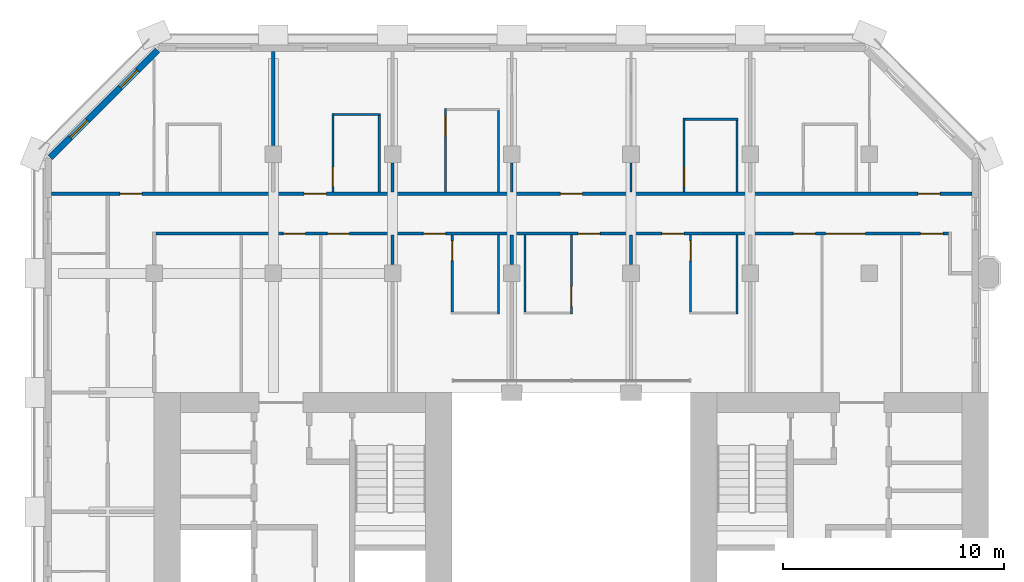
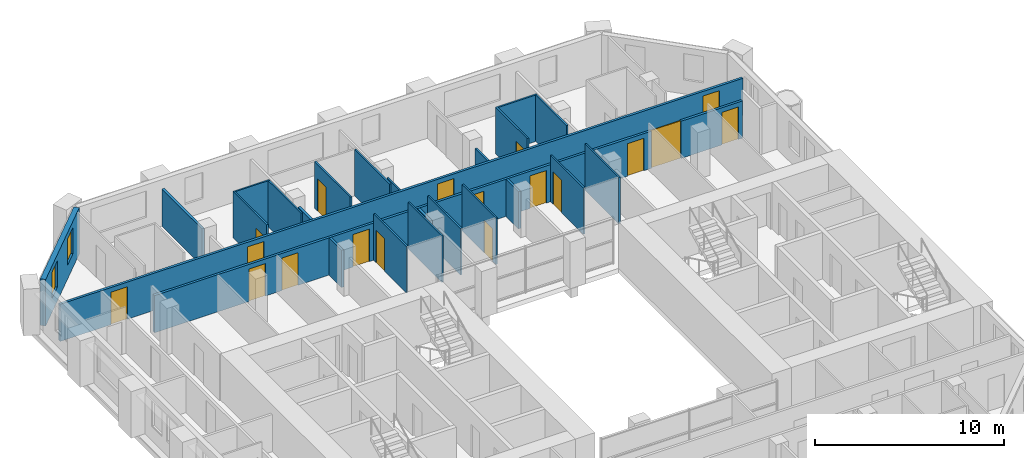
# One storey, part 10 of 14: 24 walls, 18 doors, 2 windows, 20 openings.
"""IFC4 building model written with IfcOpenShell, lengths in metres."""

from ifc_helpers import new_model, si_unit, direction, frame, frame_2d, origin, place, context, subcontext, project, spatial, rectangle, extrude, material, layer, layer_set, type_object, element, fill, save


model = new_model("IFC4")

# Units and contexts
model_context = context("Model", 3, precision=1e-05, world=origin(), true_north=direction((0.0, 1.0)))
body_context = subcontext(model_context, "Body", "Model", "MODEL_VIEW")
ifc_project = project(units=[si_unit("LENGTHUNIT", "METRE"), si_unit("AREAUNIT", "SQUARE_METRE"), si_unit("VOLUMEUNIT", "CUBIC_METRE"), si_unit("PLANEANGLEUNIT", "RADIAN"), si_unit("MASSUNIT", "GRAM", prefix="KILO")], contexts=[model_context])

# Site, building, storey
site_placement = place(None, origin())
site = spatial("IfcSite", under=ifc_project, at=site_placement, CompositionType="ELEMENT")
building_placement = place(site_placement, origin())
building = spatial("IfcBuilding", under=site, at=building_placement, Name="Tabaq Tower and Sports Hall", CompositionType="ELEMENT")
storey_placement = place(building_placement, frame((0.0, 0.0, 217.0)))
storey = spatial("IfcBuildingStorey", under=building, at=storey_placement, Name="L54", CompositionType="ELEMENT", Elevation=217.0)

# Wall
ifc_material_1 = material(Name="Gypsum board on steel studs", Category="steel")
ifc_layer_1 = layer(ifc_material_1, 0.10009765625)
ifc_layer_set_1 = layer_set([ifc_layer_1], Name="Partition 100 Gypsum board")
wall_type_1 = type_object("IfcWallType", Name="Partition 100 Gypsum board", PredefinedType="PARTITIONING", material=ifc_layer_set_1)
wall_1_placement = place(storey_placement, frame((31.800048828125, 39.52490234375, 0.0), z_axis=(0.0, 0.0, 1.0), x_axis=(0.0, -1.0, 0.0)))
element("IfcWall", 1, at=wall_1_placement, inside=storey, type_object=wall_type_1, Name="Partition wall L54", PredefinedType="PARTITIONING", context=body_context, shape_type="SweptSolid", body=[
    extrude(rectangle(XDim=3.574951171875, YDim=0.10009765625, at=frame_2d((1.78759765625, 0.0))), origin(), (0.0, 0.0, 1.0), 3.0),
])

# Wall, opening, door
wall_2_placement = place(storey_placement, frame((29.699951171875, 36.050048828125, 0.0), z_axis=(0.0, 0.0, 1.0), x_axis=(0.0, 1.0, 0.0)))
wall_2 = element("IfcWall", 2, at=wall_2_placement, inside=storey, type_object=wall_type_1, Name="Partition wall L54", PredefinedType="PARTITIONING", context=body_context, shape_type="SweptSolid", body=[
    extrude(rectangle(XDim=3.474853515625, YDim=0.10009765625, at=frame_2d((1.7373046875, 0.0))), origin(), (0.0, 0.0, 1.0), 3.0),
])
opening_1_placement = place(wall_2_placement, frame((2.324951171875, 0.0, 0.0)))
opening_1 = element("IfcOpeningElement", 3, at=opening_1_placement, cuts=wall_2, Name="Opening L54-001", PredefinedType="OPENING", context=body_context, shape_type="SweptSolid", body=[
    extrude(rectangle(XDim=0.89990234375, YDim=2.10009765625, at=frame_2d((0.449951171875, 1.050048828125))), frame((0.0, 0.050048828125, 0.0), z_axis=(0.0, -1.0, 0.0), x_axis=(1.0, 0.0, 0.0)), (0.0, 0.0, 1.0), 0.10009765625),
])
ifc_material_2 = material(Name="Timber leaf in steel frame", Category="steel")
door_type_1 = type_object("IfcDoorType", Name="Internal door 900 right hand", OperationType="SINGLE_SWING_RIGHT", PredefinedType="DOOR", material=ifc_material_2)
door_1_placement = place(opening_1_placement, origin())
door_1 = element("IfcDoor", 4, at=door_1_placement, inside=storey, type_object=door_type_1, Name="Internal door L54-001", OperationType="SINGLE_SWING_RIGHT", OverallHeight=2.10009765625, OverallWidth=0.89990234375, PredefinedType="DOOR", context=body_context, shape_type="SweptSolid", body=[
    extrude(rectangle(XDim=0.89990234375, YDim=2.10009765625, at=frame_2d((0.449951171875, 1.050048828125))), frame((0.0, 0.02490234375, 0.0), z_axis=(0.0, -1.0, 0.0), x_axis=(1.0, 0.0, 0.0)), (0.0, 0.0, 1.0), 0.050048828125),
])
fill(opening_1, door_1)

wall_3_placement = place(storey_placement, frame((24.300048828125, 39.52490234375, 0.0), z_axis=(0.0, 0.0, 1.0), x_axis=(0.0, -1.0, 0.0)))
wall_3 = element("IfcWall", 5, at=wall_3_placement, inside=storey, type_object=wall_type_1, Name="Partition wall L54", PredefinedType="PARTITIONING", context=body_context, shape_type="SweptSolid", body=[
    extrude(rectangle(XDim=3.574951171875, YDim=0.10009765625, at=frame_2d((1.78759765625, 0.0))), origin(), (0.0, 0.0, 1.0), 3.0),
])
opening_2_placement = place(wall_3_placement, frame((2.324951171875, 0.0, 0.0)))
opening_2 = element("IfcOpeningElement", 6, at=opening_2_placement, cuts=wall_3, Name="Opening L54-002", PredefinedType="OPENING", context=body_context, shape_type="SweptSolid", body=[
    extrude(rectangle(XDim=0.89990234375, YDim=2.10009765625, at=frame_2d((0.449951171875, 1.050048828125))), frame((0.0, 0.050048828125, 0.0), z_axis=(0.0, -1.0, 0.0), x_axis=(1.0, 0.0, 0.0)), (0.0, 0.0, 1.0), 0.10009765625),
])
door_2_placement = place(opening_2_placement, origin())
door_2 = element("IfcDoor", 7, at=door_2_placement, inside=storey, type_object=door_type_1, Name="Internal door L54-002", OperationType="SINGLE_SWING_RIGHT", OverallHeight=2.10009765625, OverallWidth=0.89990234375, PredefinedType="DOOR", context=body_context, shape_type="SweptSolid", body=[
    extrude(rectangle(XDim=0.89990234375, YDim=2.10009765625, at=frame_2d((0.449951171875, 1.050048828125))), frame((0.0, 0.02490234375, 0.0), z_axis=(0.0, -1.0, 0.0), x_axis=(1.0, 0.0, 0.0)), (0.0, 0.0, 1.0), 0.050048828125),
])
fill(opening_2, door_2)

# Walls
wall_4_placement = place(storey_placement, frame((22.199951171875, 36.050048828125, 0.0), z_axis=(0.0, 0.0, 1.0), x_axis=(0.0, 1.0, 0.0)))
element("IfcWall", 8, at=wall_4_placement, inside=storey, type_object=wall_type_1, Name="Partition wall L54", PredefinedType="PARTITIONING", context=body_context, shape_type="SweptSolid", body=[
    extrude(rectangle(XDim=3.474853515625, YDim=0.10009765625, at=frame_2d((1.7373046875, 0.0))), origin(), (0.0, 0.0, 1.0), 3.0),
])
wall_5_placement = place(storey_placement, frame((21.0, 39.52490234375, 0.0), z_axis=(0.0, 0.0, 1.0), x_axis=(0.0, -1.0, 0.0)))
element("IfcWall", 9, at=wall_5_placement, inside=storey, type_object=wall_type_1, Name="Partition wall L54", PredefinedType="PARTITIONING", context=body_context, shape_type="SweptSolid", body=[
    extrude(rectangle(XDim=3.574951171875, YDim=0.10009765625, at=frame_2d((1.78759765625, 0.0))), origin(), (0.0, 0.0, 1.0), 3.0),
])

# Wall, opening, door
wall_6_placement = place(storey_placement, frame((18.89990234375, 36.050048828125, 0.0), z_axis=(0.0, 0.0, 1.0), x_axis=(0.0, 1.0, 0.0)))
wall_6 = element("IfcWall", 10, at=wall_6_placement, inside=storey, type_object=wall_type_1, Name="Partition wall L54", PredefinedType="PARTITIONING", context=body_context, shape_type="SweptSolid", body=[
    extrude(rectangle(XDim=3.474853515625, YDim=0.10009765625, at=frame_2d((1.7373046875, 0.0))), origin(), (0.0, 0.0, 1.0), 3.0),
])
opening_3_placement = place(wall_6_placement, frame((2.324951171875, 0.0, 0.0)))
opening_3 = element("IfcOpeningElement", 11, at=opening_3_placement, cuts=wall_6, Name="Opening L54-003", PredefinedType="OPENING", context=body_context, shape_type="SweptSolid", body=[
    extrude(rectangle(XDim=0.89990234375, YDim=2.10009765625, at=frame_2d((0.449951171875, 1.050048828125))), frame((0.0, 0.050048828125, 0.0), z_axis=(0.0, -1.0, 0.0), x_axis=(1.0, 0.0, 0.0)), (0.0, 0.0, 1.0), 0.10009765625),
])
ifc_material_3 = material(Name="Timber leaf in steel frame", Category="steel")
door_type_2 = type_object("IfcDoorType", Name="Internal door 900 left hand", OperationType="SINGLE_SWING_LEFT", PredefinedType="DOOR", material=ifc_material_3)
door_3_placement = place(opening_3_placement, origin())
door_3 = element("IfcDoor", 12, at=door_3_placement, inside=storey, type_object=door_type_2, Name="Internal door L54-003", OperationType="SINGLE_SWING_LEFT", OverallHeight=2.10009765625, OverallWidth=0.89990234375, PredefinedType="DOOR", context=body_context, shape_type="SweptSolid", body=[
    extrude(rectangle(XDim=0.89990234375, YDim=2.10009765625, at=frame_2d((0.449951171875, 1.050048828125))), frame((0.0, 0.02490234375, 0.0), z_axis=(0.0, -1.0, 0.0), x_axis=(1.0, 0.0, 0.0)), (0.0, 0.0, 1.0), 0.050048828125),
])
fill(opening_3, door_3)

# Wall
wall_7_placement = place(storey_placement, frame((27.0, 42.804931640625, 0.0), z_axis=(0.0, 0.0, 1.0), x_axis=(0.0, -1.0, 0.0)))
element("IfcWall", 13, at=wall_7_placement, inside=storey, type_object=wall_type_1, Name="Partition wall L54", PredefinedType="PARTITIONING", context=body_context, shape_type="SweptSolid", body=[
    extrude(rectangle(XDim=1.329833984375, YDim=0.10009765625, at=frame_2d((0.6650390625, 0.0))), origin(), (0.0, 0.0, 1.0), 2.39990234375),
])

# Wall, opening, door
wall_8_placement = place(storey_placement, frame((29.39990234375, 41.47509765625, 0.0), z_axis=(0.0, 0.0, 1.0), x_axis=(0.0, 1.0, 0.0)))
wall_8 = element("IfcWall", 14, at=wall_8_placement, inside=storey, type_object=wall_type_1, Name="Partition wall L54", PredefinedType="PARTITIONING", context=body_context, shape_type="SweptSolid", body=[
    extrude(rectangle(XDim=3.349853515625, YDim=0.10009765625, at=frame_2d((1.6748046875, 0.0))), origin(), (0.0, 0.0, 1.0), 3.0),
])
opening_4_placement = place(wall_8_placement, frame((0.25, 0.0, 0.0)))
opening_4 = element("IfcOpeningElement", 15, at=opening_4_placement, cuts=wall_8, Name="Opening L54-006", PredefinedType="OPENING", context=body_context, shape_type="SweptSolid", body=[
    extrude(rectangle(XDim=0.89990234375, YDim=2.10009765625, at=frame_2d((0.449951171875, 1.050048828125))), frame((0.0, 0.050048828125, 0.0), z_axis=(0.0, -1.0, 0.0), x_axis=(1.0, 0.0, 0.0)), (0.0, 0.0, 1.0), 0.10009765625),
])
door_4_placement = place(opening_4_placement, origin())
door_4 = element("IfcDoor", 16, at=door_4_placement, inside=storey, type_object=door_type_1, Name="Internal door L54-006", OperationType="SINGLE_SWING_RIGHT", OverallHeight=2.10009765625, OverallWidth=0.89990234375, PredefinedType="DOOR", context=body_context, shape_type="SweptSolid", body=[
    extrude(rectangle(XDim=0.89990234375, YDim=2.10009765625, at=frame_2d((0.449951171875, 1.050048828125))), frame((0.0, 0.02490234375, 0.0), z_axis=(0.0, -1.0, 0.0), x_axis=(1.0, 0.0, 0.0)), (0.0, 0.0, 1.0), 0.050048828125),
])
fill(opening_4, door_4)

# Walls
wall_9_placement = place(storey_placement, frame((29.449951171875, 44.77490234375, 0.0), z_axis=(0.0, 0.0, 1.0), x_axis=(1.0, 0.0, 0.0)))
element("IfcWall", 17, at=wall_9_placement, inside=storey, type_object=wall_type_1, Name="Partition wall L54", PredefinedType="PARTITIONING", context=body_context, shape_type="SweptSolid", body=[
    extrude(rectangle(XDim=2.400146484375, YDim=0.10009765625, at=frame_2d((1.2001953125, 0.0))), origin(), (0.0, 0.0, 1.0), 3.0),
])
wall_10_placement = place(storey_placement, frame((31.800048828125, 44.72509765625, 0.0), z_axis=(0.0, 0.0, 1.0), x_axis=(0.0, -1.0, 0.0)))
element("IfcWall", 18, at=wall_10_placement, inside=storey, type_object=wall_type_1, Name="Partition wall L54", PredefinedType="PARTITIONING", context=body_context, shape_type="SweptSolid", body=[
    extrude(rectangle(XDim=3.25, YDim=0.10009765625, at=frame_2d((1.625, 0.0))), origin(), (0.0, 0.0, 1.0), 3.0),
])

# Wall, opening, door
wall_11_placement = place(storey_placement, frame((18.60009765625, 41.47509765625, 0.0), z_axis=(0.0, 0.0, 1.0), x_axis=(0.0, 1.0, 0.0)))
wall_11 = element("IfcWall", 19, at=wall_11_placement, inside=storey, type_object=wall_type_1, Name="Partition wall L54", PredefinedType="PARTITIONING", context=body_context, shape_type="SweptSolid", body=[
    extrude(rectangle(XDim=3.7998046875, YDim=0.10009765625, at=frame_2d((1.89990234375, 0.0))), origin(), (0.0, 0.0, 1.0), 3.0),
])
opening_5_placement = place(wall_11_placement, frame((2.550048828125, 0.0, 0.0)))
opening_5 = element("IfcOpeningElement", 20, at=opening_5_placement, cuts=wall_11, Name="Opening L54-007", PredefinedType="OPENING", context=body_context, shape_type="SweptSolid", body=[
    extrude(rectangle(XDim=0.89990234375, YDim=2.10009765625, at=frame_2d((0.449951171875, 1.050048828125))), frame((0.0, 0.050048828125, 0.0), z_axis=(0.0, -1.0, 0.0), x_axis=(1.0, 0.0, 0.0)), (0.0, 0.0, 1.0), 0.10009765625),
])
door_5_placement = place(opening_5_placement, origin())
door_5 = element("IfcDoor", 21, at=door_5_placement, inside=storey, type_object=door_type_2, Name="Internal door L54-007", OperationType="SINGLE_SWING_LEFT", OverallHeight=2.10009765625, OverallWidth=0.89990234375, PredefinedType="DOOR", context=body_context, shape_type="SweptSolid", body=[
    extrude(rectangle(XDim=0.89990234375, YDim=2.10009765625, at=frame_2d((0.449951171875, 1.050048828125))), frame((0.0, 0.02490234375, 0.0), z_axis=(0.0, -1.0, 0.0), x_axis=(1.0, 0.0, 0.0)), (0.0, 0.0, 1.0), 0.050048828125),
])
fill(opening_5, door_5)

# Walls
wall_12_placement = place(storey_placement, frame((21.0, 45.175048828125, 0.0), z_axis=(0.0, 0.0, 1.0), x_axis=(0.0, -1.0, 0.0)))
element("IfcWall", 22, at=wall_12_placement, inside=storey, type_object=wall_type_1, Name="Partition wall L54", PredefinedType="PARTITIONING", context=body_context, shape_type="SweptSolid", body=[
    extrude(rectangle(XDim=3.699951171875, YDim=0.10009765625, at=frame_2d((1.85009765625, 0.0))), origin(), (0.0, 0.0, 1.0), 3.0),
])
wall_13_placement = place(storey_placement, frame((21.60009765625, 41.47509765625, 0.0), z_axis=(0.0, 0.0, 1.0), x_axis=(0.0, 1.0, 0.0)))
element("IfcWall", 23, at=wall_13_placement, inside=storey, type_object=wall_type_1, Name="Partition wall L54", PredefinedType="PARTITIONING", context=body_context, shape_type="SweptSolid", body=[
    extrude(rectangle(XDim=1.329833984375, YDim=0.10009765625, at=frame_2d((0.6650390625, 0.0))), origin(), (0.0, 0.0, 1.0), 2.39990234375),
])

# Wall, opening, door
wall_14_placement = place(storey_placement, frame((13.5, 41.47509765625, 0.0), z_axis=(0.0, 0.0, 1.0), x_axis=(0.0, 1.0, 0.0)))
wall_14 = element("IfcWall", 24, at=wall_14_placement, inside=storey, type_object=wall_type_1, Name="Partition wall L54", PredefinedType="PARTITIONING", context=body_context, shape_type="SweptSolid", body=[
    extrude(rectangle(XDim=3.574951171875, YDim=0.10009765625, at=frame_2d((1.78759765625, 0.0))), origin(), (0.0, 0.0, 1.0), 3.0),
])
opening_6_placement = place(wall_14_placement, frame((0.25, 0.0, 0.0)))
opening_6 = element("IfcOpeningElement", 25, at=opening_6_placement, cuts=wall_14, Name="Opening L54-008", PredefinedType="OPENING", context=body_context, shape_type="SweptSolid", body=[
    extrude(rectangle(XDim=0.89990234375, YDim=2.10009765625, at=frame_2d((0.449951171875, 1.050048828125))), frame((0.0, 0.050048828125, 0.0), z_axis=(0.0, -1.0, 0.0), x_axis=(1.0, 0.0, 0.0)), (0.0, 0.0, 1.0), 0.10009765625),
])
door_6_placement = place(opening_6_placement, origin())
door_6 = element("IfcDoor", 26, at=door_6_placement, inside=storey, type_object=door_type_2, Name="Internal door L54-008", OperationType="SINGLE_SWING_LEFT", OverallHeight=2.10009765625, OverallWidth=0.89990234375, PredefinedType="DOOR", context=body_context, shape_type="SweptSolid", body=[
    extrude(rectangle(XDim=0.89990234375, YDim=2.10009765625, at=frame_2d((0.449951171875, 1.050048828125))), frame((0.0, 0.02490234375, 0.0), z_axis=(0.0, -1.0, 0.0), x_axis=(1.0, 0.0, 0.0)), (0.0, 0.0, 1.0), 0.050048828125),
])
fill(opening_6, door_6)

# Walls
wall_15_placement = place(storey_placement, frame((13.550048828125, 45.0, 0.0), z_axis=(0.0, 0.0, 1.0), x_axis=(1.0, 0.0, 0.0)))
element("IfcWall", 27, at=wall_15_placement, inside=storey, type_object=wall_type_1, Name="Partition wall L54", PredefinedType="PARTITIONING", context=body_context, shape_type="SweptSolid", body=[
    extrude(rectangle(XDim=2.099853515625, YDim=0.10009765625, at=frame_2d((1.0498046875, 0.0))), origin(), (0.0, 0.0, 1.0), 3.0),
])
wall_16_placement = place(storey_placement, frame((15.60009765625, 44.949951171875, 0.0), z_axis=(0.0, 0.0, 1.0), x_axis=(0.0, -1.0, 0.0)))
element("IfcWall", 28, at=wall_16_placement, inside=storey, type_object=wall_type_1, Name="Partition wall L54", PredefinedType="PARTITIONING", context=body_context, shape_type="SweptSolid", body=[
    extrude(rectangle(XDim=3.474853515625, YDim=0.10009765625, at=frame_2d((1.7373046875, 0.0))), origin(), (0.0, 0.0, 1.0), 3.0),
])
ifc_material_4 = material(Name="Blockwork", Category="masonry")
ifc_layer_2 = layer(ifc_material_4, 0.14990234375)
ifc_layer_set_2 = layer_set([ifc_layer_2], Name="Separating wall 150 Blockwork")
wall_type_2 = type_object("IfcWallType", Name="Separating wall 150 Blockwork", PredefinedType="PARTITIONING", material=ifc_layer_set_2)
for number, where, z_axis, x_axis, name in (
    (29, (27.0, 39.52490234375, 0.0), (0.0, 0.0, 1.0), (0.0, -1.0, 0.0), "Separating wall L54"),
    (30, (21.60009765625, 39.52490234375, 0.0), (0.0, 0.0, 1.0), (0.0, -1.0, 0.0), "Separating wall L54"),
    (31, (16.199951171875, 39.52490234375, 0.0), (0.0, 0.0, 1.0), (0.0, -1.0, 0.0), "Separating wall L54"),
    (32, (16.199951171875, 42.804931640625, 0.0), (0.0, 0.0, 1.0), (0.0, -1.0, 0.0), "Separating wall L54"),
):
    element("IfcWall", number, at=place(storey_placement, frame(where, z_axis=z_axis, x_axis=x_axis)), inside=storey, type_object=wall_type_2, Name=name, PredefinedType="PARTITIONING", context=body_context, shape_type="SweptSolid", body=[
        extrude(rectangle(XDim=1.329833984375, YDim=0.14990234375, at=frame_2d((0.6650390625, 0.0))), origin(), (0.0, 0.0, 1.0), 2.39990234375),
    ])
wall_17_placement = place(storey_placement, frame((10.800048828125, 47.84912109375, 0.0), z_axis=(0.0, 0.0, 1.0), x_axis=(0.0, -1.0, 0.0)))
element("IfcWall", 33, at=wall_17_placement, inside=storey, type_object=wall_type_2, Name="Separating wall L54", PredefinedType="PARTITIONING", context=body_context, shape_type="SweptSolid", body=[
    extrude(rectangle(XDim=4.254150390625, YDim=0.14990234375, at=frame_2d((2.126953125, 0.0))), origin(), (0.0, 0.0, 1.0), 2.39990234375),
])

# Wall, openings, doors
wall_18_placement = place(storey_placement, frame((42.448974609375, 41.39990234375, 0.0), z_axis=(0.0, 0.0, 1.0), x_axis=(-1.0, 0.0, 0.0)))
wall_18 = element("IfcWall", 34, at=wall_18_placement, inside=storey, type_object=wall_type_2, Name="Separating wall L54", PredefinedType="PARTITIONING", context=body_context, shape_type="SweptSolid", body=[
    extrude(rectangle(XDim=41.697998046875, YDim=0.14990234375, at=frame_2d((20.84912109375, 0.0))), origin(), (0.0, 0.0, 1.0), 2.39990234375),
])
opening_7_placement = place(wall_18_placement, frame((1.448974609375, 0.0, 0.0)))
opening_7 = element("IfcOpeningElement", 35, at=opening_7_placement, cuts=wall_18, Name="Opening L54-033", PredefinedType="OPENING", context=body_context, shape_type="SweptSolid", body=[
    extrude(rectangle(XDim=1.0, YDim=2.10009765625, at=frame_2d((0.5, 1.050048828125))), frame((0.0, 0.074951171875, 0.0), z_axis=(0.0, -1.0, 0.0), x_axis=(1.0, 0.0, 0.0)), (0.0, 0.0, 1.0), 0.14990234375),
])
opening_8_placement = place(wall_18_placement, frame((29.2490234375, 0.0, 0.0)))
opening_8 = element("IfcOpeningElement", 36, at=opening_8_placement, cuts=wall_18, Name="Opening L54-036", PredefinedType="OPENING", context=body_context, shape_type="SweptSolid", body=[
    extrude(rectangle(XDim=1.0, YDim=2.10009765625, at=frame_2d((0.5, 1.050048828125))), frame((0.0, 0.074951171875, 0.0), z_axis=(0.0, -1.0, 0.0), x_axis=(1.0, 0.0, 0.0)), (0.0, 0.0, 1.0), 0.14990234375),
])
opening_9_placement = place(wall_18_placement, frame((37.59912109375, 0.0, 0.0)))
opening_9 = element("IfcOpeningElement", 37, at=opening_9_placement, cuts=wall_18, Name="Opening L54-038", PredefinedType="OPENING", context=body_context, shape_type="SweptSolid", body=[
    extrude(rectangle(XDim=1.0, YDim=2.10009765625, at=frame_2d((0.5, 1.050048828125))), frame((0.0, 0.074951171875, 0.0), z_axis=(0.0, -1.0, 0.0), x_axis=(1.0, 0.0, 0.0)), (0.0, 0.0, 1.0), 0.14990234375),
])
opening_10_placement = place(wall_18_placement, frame((17.64892578125, 0.0, 0.0)))
opening_10 = element("IfcOpeningElement", 38, at=opening_10_placement, cuts=wall_18, Name="Opening L54-052", PredefinedType="OPENING", context=body_context, shape_type="SweptSolid", body=[
    extrude(rectangle(XDim=1.0, YDim=2.10009765625, at=frame_2d((0.5, 1.050048828125))), frame((0.0, 0.074951171875, 0.0), z_axis=(0.0, -1.0, 0.0), x_axis=(1.0, 0.0, 0.0)), (0.0, 0.0, 1.0), 0.14990234375),
])
ifc_material_5 = material(Name="Steel fire door", Category="steel")
door_type_3 = type_object("IfcDoorType", Name="Entrance door 1000 left hand", OperationType="SINGLE_SWING_LEFT", PredefinedType="DOOR", material=ifc_material_5)
door_7_placement = place(opening_7_placement, origin())
door_7 = element("IfcDoor", 39, at=door_7_placement, inside=storey, type_object=door_type_3, Name="Entrance door L54-033", OperationType="SINGLE_SWING_LEFT", OverallHeight=2.10009765625, OverallWidth=1.0, PredefinedType="DOOR", context=body_context, shape_type="SweptSolid", body=[
    extrude(rectangle(XDim=1.0, YDim=2.10009765625, at=frame_2d((0.5, 1.050048828125))), frame((0.0, 0.02490234375, 0.0), z_axis=(0.0, -1.0, 0.0), x_axis=(1.0, 0.0, 0.0)), (0.0, 0.0, 1.0), 0.050048828125),
])
fill(opening_7, door_7)
door_8_placement = place(opening_8_placement, origin())
door_8 = element("IfcDoor", 40, at=door_8_placement, inside=storey, type_object=door_type_3, Name="Entrance door L54-036", OperationType="SINGLE_SWING_LEFT", OverallHeight=2.10009765625, OverallWidth=1.0, PredefinedType="DOOR", context=body_context, shape_type="SweptSolid", body=[
    extrude(rectangle(XDim=1.0, YDim=2.10009765625, at=frame_2d((0.5, 1.050048828125))), frame((0.0, 0.02490234375, 0.0), z_axis=(0.0, -1.0, 0.0), x_axis=(1.0, 0.0, 0.0)), (0.0, 0.0, 1.0), 0.050048828125),
])
fill(opening_8, door_8)
door_9_placement = place(opening_9_placement, origin())
door_9 = element("IfcDoor", 41, at=door_9_placement, inside=storey, type_object=door_type_3, Name="Entrance door L54-038", OperationType="SINGLE_SWING_LEFT", OverallHeight=2.10009765625, OverallWidth=1.0, PredefinedType="DOOR", context=body_context, shape_type="SweptSolid", body=[
    extrude(rectangle(XDim=1.0, YDim=2.10009765625, at=frame_2d((0.5, 1.050048828125))), frame((0.0, 0.02490234375, 0.0), z_axis=(0.0, -1.0, 0.0), x_axis=(1.0, 0.0, 0.0)), (0.0, 0.0, 1.0), 0.050048828125),
])
fill(opening_9, door_9)
ifc_material_6 = material(Name="Steel fire door", Category="steel")
door_type_4 = type_object("IfcDoorType", Name="Entrance door 1000 right hand", OperationType="SINGLE_SWING_RIGHT", PredefinedType="DOOR", material=ifc_material_6)
door_10_placement = place(opening_10_placement, origin())
door_10 = element("IfcDoor", 42, at=door_10_placement, inside=storey, type_object=door_type_4, Name="Entrance door L54-052", OperationType="SINGLE_SWING_RIGHT", OverallHeight=2.10009765625, OverallWidth=1.0, PredefinedType="DOOR", context=body_context, shape_type="SweptSolid", body=[
    extrude(rectangle(XDim=1.0, YDim=2.10009765625, at=frame_2d((0.5, 1.050048828125))), frame((0.0, 0.02490234375, 0.0), z_axis=(0.0, -1.0, 0.0), x_axis=(1.0, 0.0, 0.0)), (0.0, 0.0, 1.0), 0.050048828125),
])
fill(opening_10, door_10)

wall_19_placement = place(storey_placement, frame((41.3740234375, 39.60009765625, 0.0), z_axis=(0.0, 0.0, 1.0), x_axis=(-1.0, 0.0, 0.0)))
wall_19 = element("IfcWall", 43, at=wall_19_placement, inside=storey, type_object=wall_type_2, Name="Separating wall L54", PredefinedType="PARTITIONING", context=body_context, shape_type="SweptSolid", body=[
    extrude(rectangle(XDim=35.89892578125, YDim=0.14990234375, at=frame_2d((17.949462890625, 0.0))), origin(), (0.0, 0.0, 1.0), 2.39990234375),
])
opening_11_placement = place(wall_19_placement, frame((0.25, 0.0, 0.0)))
opening_11 = element("IfcOpeningElement", 44, at=opening_11_placement, cuts=wall_19, Name="Opening L54-011", PredefinedType="OPENING", context=body_context, shape_type="SweptSolid", body=[
    extrude(rectangle(XDim=1.0, YDim=2.10009765625, at=frame_2d((0.5, 1.050048828125))), frame((0.0, 0.074951171875, 0.0), z_axis=(0.0, -1.0, 0.0), x_axis=(1.0, 0.0, 0.0)), (0.0, 0.0, 1.0), 0.14990234375),
])
opening_12_placement = place(wall_19_placement, frame((27.1240234375, 0.0, 0.0)))
opening_12 = element("IfcOpeningElement", 45, at=opening_12_placement, cuts=wall_19, Name="Opening L54-012", PredefinedType="OPENING", context=body_context, shape_type="SweptSolid", body=[
    extrude(rectangle(XDim=1.0, YDim=2.10009765625, at=frame_2d((0.5, 1.050048828125))), frame((0.0, 0.074951171875, 0.0), z_axis=(0.0, -1.0, 0.0), x_axis=(1.0, 0.0, 0.0)), (0.0, 0.0, 1.0), 0.14990234375),
])
opening_13_placement = place(wall_19_placement, frame((6.02392578125, 0.0, 0.0)))
opening_13 = element("IfcOpeningElement", 46, at=opening_13_placement, cuts=wall_19, Name="Opening L54-014", PredefinedType="OPENING", context=body_context, shape_type="SweptSolid", body=[
    extrude(rectangle(XDim=1.0, YDim=2.10009765625, at=frame_2d((0.5, 1.050048828125))), frame((0.0, 0.074951171875, 0.0), z_axis=(0.0, -1.0, 0.0), x_axis=(1.0, 0.0, 0.0)), (0.0, 0.0, 1.0), 0.14990234375),
])
opening_14_placement = place(wall_19_placement, frame((11.97412109375, 0.0, 0.0)))
opening_14 = element("IfcOpeningElement", 47, at=opening_14_placement, cuts=wall_19, Name="Opening L54-028", PredefinedType="OPENING", context=body_context, shape_type="SweptSolid", body=[
    extrude(rectangle(XDim=1.0, YDim=2.10009765625, at=frame_2d((0.5, 1.050048828125))), frame((0.0, 0.074951171875, 0.0), z_axis=(0.0, -1.0, 0.0), x_axis=(1.0, 0.0, 0.0)), (0.0, 0.0, 1.0), 0.14990234375),
])
opening_15_placement = place(wall_19_placement, frame((15.77392578125, 0.0, 0.0)))
opening_15 = element("IfcOpeningElement", 48, at=opening_15_placement, cuts=wall_19, Name="Opening L54-029", PredefinedType="OPENING", context=body_context, shape_type="SweptSolid", body=[
    extrude(rectangle(XDim=1.0, YDim=2.10009765625, at=frame_2d((0.5, 1.050048828125))), frame((0.0, 0.074951171875, 0.0), z_axis=(0.0, -1.0, 0.0), x_axis=(1.0, 0.0, 0.0)), (0.0, 0.0, 1.0), 0.14990234375),
])
opening_16_placement = place(wall_19_placement, frame((22.77392578125, 0.0, 0.0)))
opening_16 = element("IfcOpeningElement", 49, at=opening_16_placement, cuts=wall_19, Name="Opening L54-030", PredefinedType="OPENING", context=body_context, shape_type="SweptSolid", body=[
    extrude(rectangle(XDim=1.0, YDim=2.10009765625, at=frame_2d((0.5, 1.050048828125))), frame((0.0, 0.074951171875, 0.0), z_axis=(0.0, -1.0, 0.0), x_axis=(1.0, 0.0, 0.0)), (0.0, 0.0, 1.0), 0.14990234375),
])
opening_17_placement = place(wall_19_placement, frame((3.75390625, 0.0, 0.0)))
opening_17 = element("IfcOpeningElement", 50, at=opening_17_placement, cuts=wall_19, Name="Opening L54-039", PredefinedType="OPENING", context=body_context, shape_type="SweptSolid", body=[
    extrude(rectangle(XDim=1.800048828125, YDim=2.39990234375, at=frame_2d((0.89990234375, 1.199951171875))), frame((0.0, 0.074951171875, 0.0), z_axis=(0.0, -1.0, 0.0), x_axis=(1.0, 0.0, 0.0)), (0.0, 0.0, 1.0), 0.14990234375),
])
opening_18_placement = place(wall_19_placement, frame((29.1240234375, 0.0, 0.0)))
opening_18 = element("IfcOpeningElement", 51, at=opening_18_placement, cuts=wall_19, Name="Opening L54-040", PredefinedType="OPENING", context=body_context, shape_type="SweptSolid", body=[
    extrude(rectangle(XDim=1.0, YDim=2.10009765625, at=frame_2d((0.5, 1.050048828125))), frame((0.0, 0.074951171875, 0.0), z_axis=(0.0, -1.0, 0.0), x_axis=(1.0, 0.0, 0.0)), (0.0, 0.0, 1.0), 0.14990234375),
])
door_11_placement = place(opening_14_placement, origin())
door_11 = element("IfcDoor", 52, at=door_11_placement, inside=storey, type_object=door_type_3, Name="Entrance door L54-028", OperationType="SINGLE_SWING_LEFT", OverallHeight=2.10009765625, OverallWidth=1.0, PredefinedType="DOOR", context=body_context, shape_type="SweptSolid", body=[
    extrude(rectangle(XDim=1.0, YDim=2.10009765625, at=frame_2d((0.5, 1.050048828125))), frame((0.0, 0.02490234375, 0.0), z_axis=(0.0, -1.0, 0.0), x_axis=(1.0, 0.0, 0.0)), (0.0, 0.0, 1.0), 0.050048828125),
])
fill(opening_14, door_11)
door_12_placement = place(opening_16_placement, origin())
door_12 = element("IfcDoor", 53, at=door_12_placement, inside=storey, type_object=door_type_3, Name="Entrance door L54-030", OperationType="SINGLE_SWING_LEFT", OverallHeight=2.10009765625, OverallWidth=1.0, PredefinedType="DOOR", context=body_context, shape_type="SweptSolid", body=[
    extrude(rectangle(XDim=1.0, YDim=2.10009765625, at=frame_2d((0.5, 1.050048828125))), frame((0.0, 0.02490234375, 0.0), z_axis=(0.0, -1.0, 0.0), x_axis=(1.0, 0.0, 0.0)), (0.0, 0.0, 1.0), 0.050048828125),
])
fill(opening_16, door_12)
door_13_placement = place(opening_15_placement, origin())
door_13 = element("IfcDoor", 54, at=door_13_placement, inside=storey, type_object=door_type_4, Name="Entrance door L54-029", OperationType="SINGLE_SWING_RIGHT", OverallHeight=2.10009765625, OverallWidth=1.0, PredefinedType="DOOR", context=body_context, shape_type="SweptSolid", body=[
    extrude(rectangle(XDim=1.0, YDim=2.10009765625, at=frame_2d((0.5, 1.050048828125))), frame((0.0, 0.02490234375, 0.0), z_axis=(0.0, -1.0, 0.0), x_axis=(1.0, 0.0, 0.0)), (0.0, 0.0, 1.0), 0.050048828125),
])
fill(opening_15, door_13)
ifc_material_7 = material(Name="Timber leaf in steel frame", Category="steel")
door_type_5 = type_object("IfcDoorType", Name="Internal door 1000 left hand", OperationType="SINGLE_SWING_LEFT", PredefinedType="DOOR", material=ifc_material_7)
door_14_placement = place(opening_12_placement, origin())
door_14 = element("IfcDoor", 55, at=door_14_placement, inside=storey, type_object=door_type_5, Name="Internal door L54-012", OperationType="SINGLE_SWING_LEFT", OverallHeight=2.10009765625, OverallWidth=1.0, PredefinedType="DOOR", context=body_context, shape_type="SweptSolid", body=[
    extrude(rectangle(XDim=1.0, YDim=2.10009765625, at=frame_2d((0.5, 1.050048828125))), frame((0.0, 0.02490234375, 0.0), z_axis=(0.0, -1.0, 0.0), x_axis=(1.0, 0.0, 0.0)), (0.0, 0.0, 1.0), 0.050048828125),
])
fill(opening_12, door_14)
door_15_placement = place(opening_13_placement, origin())
door_15 = element("IfcDoor", 56, at=door_15_placement, inside=storey, type_object=door_type_5, Name="Internal door L54-014", OperationType="SINGLE_SWING_LEFT", OverallHeight=2.10009765625, OverallWidth=1.0, PredefinedType="DOOR", context=body_context, shape_type="SweptSolid", body=[
    extrude(rectangle(XDim=1.0, YDim=2.10009765625, at=frame_2d((0.5, 1.050048828125))), frame((0.0, 0.02490234375, 0.0), z_axis=(0.0, -1.0, 0.0), x_axis=(1.0, 0.0, 0.0)), (0.0, 0.0, 1.0), 0.050048828125),
])
fill(opening_13, door_15)
ifc_material_8 = material(Name="Timber leaf in steel frame", Category="steel")
door_type_6 = type_object("IfcDoorType", Name="Internal door 1000 right hand", OperationType="SINGLE_SWING_RIGHT", PredefinedType="DOOR", material=ifc_material_8)
door_16_placement = place(opening_11_placement, origin())
door_16 = element("IfcDoor", 57, at=door_16_placement, inside=storey, type_object=door_type_6, Name="Internal door L54-011", OperationType="SINGLE_SWING_RIGHT", OverallHeight=2.10009765625, OverallWidth=1.0, PredefinedType="DOOR", context=body_context, shape_type="SweptSolid", body=[
    extrude(rectangle(XDim=1.0, YDim=2.10009765625, at=frame_2d((0.5, 1.050048828125))), frame((0.0, 0.02490234375, 0.0), z_axis=(0.0, -1.0, 0.0), x_axis=(1.0, 0.0, 0.0)), (0.0, 0.0, 1.0), 0.050048828125),
])
fill(opening_11, door_16)
door_17_placement = place(opening_18_placement, origin())
door_17 = element("IfcDoor", 58, at=door_17_placement, inside=storey, type_object=door_type_6, Name="Internal door L54-040", OperationType="SINGLE_SWING_RIGHT", OverallHeight=2.10009765625, OverallWidth=1.0, PredefinedType="DOOR", context=body_context, shape_type="SweptSolid", body=[
    extrude(rectangle(XDim=1.0, YDim=2.10009765625, at=frame_2d((0.5, 1.050048828125))), frame((0.0, 0.02490234375, 0.0), z_axis=(0.0, -1.0, 0.0), x_axis=(1.0, 0.0, 0.0)), (0.0, 0.0, 1.0), 0.050048828125),
])
fill(opening_18, door_17)
ifc_material_9 = material(Name="Timber leaf in steel frame", Category="steel")
door_type_7 = type_object("IfcDoorType", Name="Internal door 1800", OperationType="DOUBLE_DOOR_SINGLE_SWING", PredefinedType="DOOR", material=ifc_material_9)
door_18_placement = place(opening_17_placement, origin())
door_18 = element("IfcDoor", 59, at=door_18_placement, inside=storey, type_object=door_type_7, Name="Internal door L54-039", OperationType="DOUBLE_DOOR_SINGLE_SWING", OverallHeight=2.39990234375, OverallWidth=1.800048828125, PredefinedType="DOOR", context=body_context, shape_type="SweptSolid", body=[
    extrude(rectangle(XDim=1.800048828125, YDim=2.39990234375, at=frame_2d((0.89990234375, 1.199951171875))), frame((0.0, 0.02490234375, 0.0), z_axis=(0.0, -1.0, 0.0), x_axis=(1.0, 0.0, 0.0)), (0.0, 0.0, 1.0), 0.050048828125),
])
fill(opening_17, door_18)

# Wall, openings, windows
ifc_material_10 = material(Name="White precast concrete C60/75", Category="concrete")
ifc_layer_3 = layer(ifc_material_10, 0.300048828125)
ifc_layer_set_3 = layer_set([ifc_layer_3], Name="White precast concrete C60/75 external wall 300")
wall_type_3 = type_object("IfcWallType", Name="White precast concrete C60/75 external wall 300", PredefinedType="SOLIDWALL", material=ifc_layer_set_3)
wall_20_placement = place(storey_placement, frame((5.549560546875, 47.901123046875, 0.0), z_axis=(0.0, 0.0, 1.0), x_axis=(-0.707106781187, -0.707106781187, 0.0)))
wall_20 = element("IfcWall", 60, at=wall_20_placement, inside=storey, type_object=wall_type_3, Name="External Wall L54 NW", PredefinedType="SOLIDWALL", context=body_context, shape_type="SweptSolid", body=[
    extrude(rectangle(XDim=6.85986328125, YDim=0.300048828125, at=frame_2d((3.429931640625, 0.0))), origin(), (0.0, 0.0, 1.0), 3.0),
])
opening_19_placement = place(wall_20_placement, frame((1.27978515625, 0.0, 0.89990234375)))
opening_19 = element("IfcOpeningElement", 61, at=opening_19_placement, cuts=wall_20, Name="Opening W1B", PredefinedType="OPENING", context=body_context, shape_type="SweptSolid", body=[
    extrude(rectangle(XDim=1.10009765625, YDim=1.699951171875, at=frame_2d((0.550048828125, 0.85009765625))), frame((0.0, 0.16015625, 0.0), z_axis=(0.0, -1.0, 0.0), x_axis=(1.0, 0.0, 0.0)), (0.0, 0.0, 1.0), 0.320068359375),
])
opening_20_placement = place(wall_20_placement, frame((4.479736328125, 0.0, 0.89990234375)))
opening_20 = element("IfcOpeningElement", 62, at=opening_20_placement, cuts=wall_20, Name="Opening W1B", PredefinedType="OPENING", context=body_context, shape_type="SweptSolid", body=[
    extrude(rectangle(XDim=1.10009765625, YDim=1.699951171875, at=frame_2d((0.550048828125, 0.85009765625))), frame((0.0, 0.16015625, 0.0), z_axis=(0.0, -1.0, 0.0), x_axis=(1.0, 0.0, 0.0)), (0.0, 0.0, 1.0), 0.320068359375),
])
ifc_material_11 = material(Name="Aluminium framed clear glazing", Category="aluminium")
window_type = type_object("IfcWindowType", Name="Window W1B", PartitioningType="SINGLE_PANEL", PredefinedType="WINDOW", material=ifc_material_11)
window_1_placement = place(opening_19_placement, origin())
window_1 = element("IfcWindow", 63, at=window_1_placement, inside=storey, type_object=window_type, Name="Window W1B L54", OverallHeight=1.699951171875, OverallWidth=1.10009765625, PartitioningType="SINGLE_PANEL", PredefinedType="WINDOW", context=body_context, shape_type="SweptSolid", body=[
    extrude(rectangle(XDim=1.10009765625, YDim=1.699951171875, at=frame_2d((0.550048828125, 0.85009765625))), frame((0.0, 0.030029296875, 0.0), z_axis=(0.0, -1.0, 0.0), x_axis=(1.0, 0.0, 0.0)), (0.0, 0.0, 1.0), 0.06005859375),
])
fill(opening_19, window_1)
window_2_placement = place(opening_20_placement, origin())
window_2 = element("IfcWindow", 64, at=window_2_placement, inside=storey, type_object=window_type, Name="Window W1B L54", OverallHeight=1.699951171875, OverallWidth=1.10009765625, PartitioningType="SINGLE_PANEL", PredefinedType="WINDOW", context=body_context, shape_type="SweptSolid", body=[
    extrude(rectangle(XDim=1.10009765625, YDim=1.699951171875, at=frame_2d((0.550048828125, 0.85009765625))), frame((0.0, 0.030029296875, 0.0), z_axis=(0.0, -1.0, 0.0), x_axis=(1.0, 0.0, 0.0)), (0.0, 0.0, 1.0), 0.06005859375),
])
fill(opening_20, window_2)

save(model, "model.ifc")
